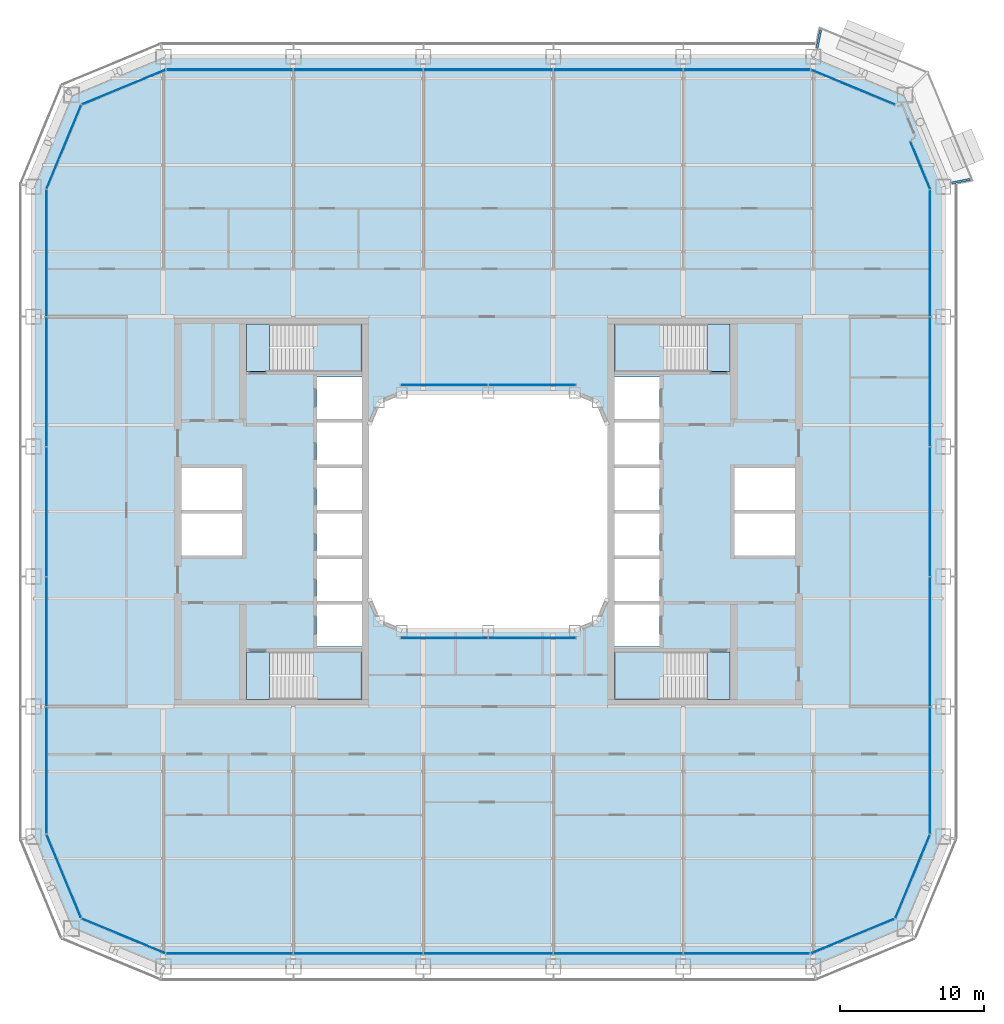
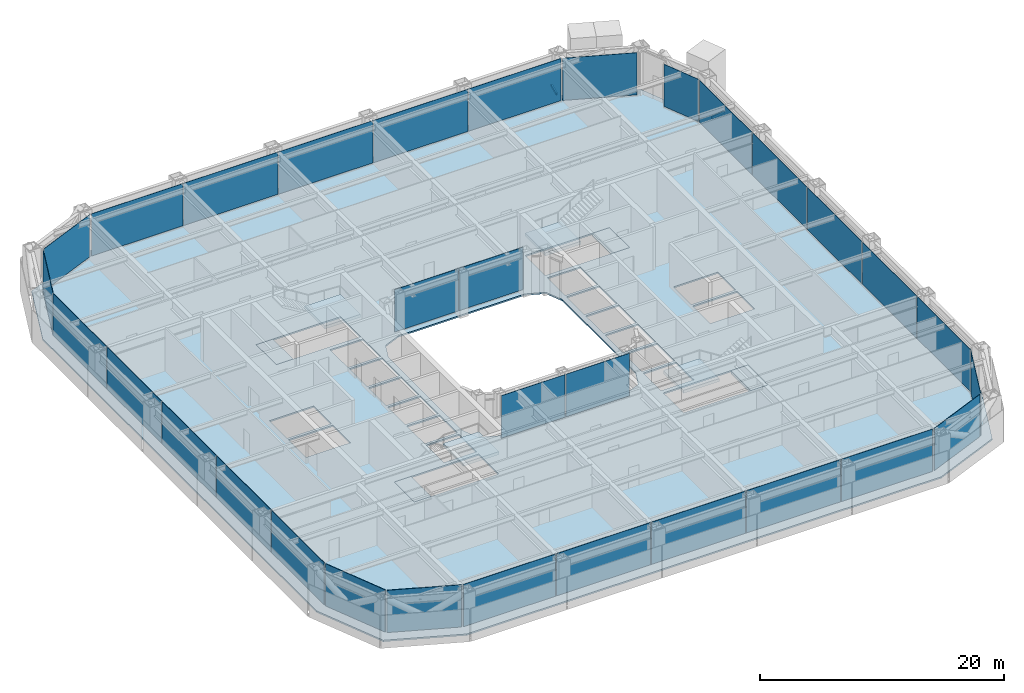
# One storey, part 11 of 30: 32 plates, 9 slabs, 2 beams, 18 elements without a shape of their own.
"""IFC4 building model written with IfcOpenShell, lengths in metres."""

from ifc_helpers import new_model, si_unit, direction, frame, origin, origin_2d, place, context, subcontext, project, spatial, polyline, rectangle, hollow_rectangle, outline, extrude, material, layer, layer_set, material_profile, profile_set, type_object, element, aggregate, save


model = new_model("IFC4")

# Units and contexts
model_context = context("Model", 3, precision=1e-05, world=origin(), true_north=direction((0.0, 1.0)))
body_context = subcontext(model_context, "Body", "Model", "MODEL_VIEW")
ifc_project = project(units=[si_unit("LENGTHUNIT", "METRE"), si_unit("AREAUNIT", "SQUARE_METRE"), si_unit("VOLUMEUNIT", "CUBIC_METRE"), si_unit("PLANEANGLEUNIT", "RADIAN"), si_unit("MASSUNIT", "GRAM", prefix="KILO")], contexts=[model_context])

# Site, building, storey
site_placement = place(None, origin())
site = spatial("IfcSite", under=ifc_project, at=site_placement, CompositionType="ELEMENT")
building_placement = place(site_placement, origin())
building = spatial("IfcBuilding", under=site, at=building_placement, Name="Siwar Civic Tower", CompositionType="ELEMENT")
storey_placement = place(building_placement, frame((0.0, 0.0, 44.699951171875)))
storey = spatial("IfcBuildingStorey", under=building, at=storey_placement, Name="L09", CompositionType="ELEMENT", Elevation=44.699951171875)

# Beams
ifc_material_1 = material(Name="Steel S355", Category="steel")
ifc_material_profile = material_profile(ifc_material_1, hollow_rectangle(XDim=0.14990234375, YDim=0.25, WallThickness=0.010009765625, at=origin_2d()), Name="RHS250x150x10")
ifc_profile_set = profile_set([ifc_material_profile], Name="Steel S355")
beam_type = type_object("IfcBeamType", Name="ENV-BALCONY ARM", PredefinedType="BEAM", material=ifc_profile_set)
for number, where, z_axis, x_axis, name in (
    (1, (32.059814453125, 22.754150390625, -0.27490234375), (0.980799833553, 0.195017144127, 0.0), (-0.195017144127, 0.980799833553, 0.0), "Balcony cantilever beam NE 1"),
    (2, (22.754150390625, 32.059814453125, -0.27490234375), (0.195017144127, 0.980799833553, 0.0), (-0.980799833553, 0.195017144127, 0.0), "Balcony cantilever beam NE 3"),
):
    element("IfcBeam", number, at=place(storey_placement, frame(where, z_axis=z_axis, x_axis=x_axis)), inside=storey, type_object=beam_type, Name=name, PredefinedType="BEAM", context=body_context, shape_type="SweptSolid", body=[
        extrude(hollow_rectangle(XDim=0.14990234375, YDim=0.25, WallThickness=0.010009765625, at=origin_2d()), origin(), (0.0, 0.0, 1.0), 1.324462890625),
    ])

# Stair, slabs
ifc_material_2 = material(Name="Concrete C40/50", Category="concrete")
stair_type = type_object("IfcStairType", Name="CORE-STAIR", PredefinedType="TWO_STRAIGHT_RUN_STAIR", material=ifc_material_2)
stair_1_placement = place(storey_placement, origin())
stair_1 = element("IfcStair", 3, at=stair_1_placement, inside=storey, type_object=stair_type, Name="Exit stair ST1", PredefinedType="TWO_STRAIGHT_RUN_STAIR")
ifc_material_3 = material(Name="Concrete C40/50", Category="concrete")
ifc_layer_1 = layer(ifc_material_3, 0.300048828125)
ifc_layer_set_1 = layer_set([ifc_layer_1], Name="Concrete C40/50")
slab_type_1 = type_object("IfcSlabType", Name="CORE-STAIR-LANDING", PredefinedType="LANDING", material=ifc_layer_set_1)
slab_1_placement = place(storey_placement, frame((0.0, 0.0, -0.300048828125)))
slab_1 = element("IfcSlab", 4, at=slab_1_placement, type_object=slab_type_1, Name="ST1 landing 1", PredefinedType="LANDING", context=body_context, shape_type="SweptSolid", body=[
    extrude(outline(polyline([(-15.14990234375, 13.0), (-16.75, 13.0), (-16.75, 9.699951171875), (-15.14990234375, 9.699951171875), (-15.14990234375, 13.0)])), origin(), (0.0, 0.0, 1.0), 0.300048828125),
])
slab_2_placement = place(storey_placement, frame((0.0, 0.0, 1.949951171875)))
slab_2 = element("IfcSlab", 5, at=slab_2_placement, type_object=slab_type_1, Name="ST1 landing 2", PredefinedType="LANDING", context=body_context, shape_type="SweptSolid", body=[
    extrude(outline(polyline([(-8.75, 13.0), (-12.139892578125, 13.0), (-12.139892578125, 9.699951171875), (-8.75, 9.699951171875), (-8.75, 13.0)])), origin(), (0.0, 0.0, 1.0), 0.300048828125),
])
aggregate(stair_1, [slab_1, slab_2])

stair_2_placement = place(storey_placement, origin())
stair_2 = element("IfcStair", 6, at=stair_2_placement, inside=storey, type_object=stair_type, Name="Exit stair ST2", PredefinedType="TWO_STRAIGHT_RUN_STAIR")
slab_3_placement = place(storey_placement, frame((0.0, 0.0, -0.300048828125)))
slab_3 = element("IfcSlab", 7, at=slab_3_placement, type_object=slab_type_1, Name="ST2 landing 1", PredefinedType="LANDING", context=body_context, shape_type="SweptSolid", body=[
    extrude(outline(polyline([(-15.14990234375, -9.699951171875), (-16.75, -9.699951171875), (-16.75, -13.0), (-15.14990234375, -13.0), (-15.14990234375, -9.699951171875)])), origin(), (0.0, 0.0, 1.0), 0.300048828125),
])
slab_4_placement = place(storey_placement, frame((0.0, 0.0, 1.949951171875)))
slab_4 = element("IfcSlab", 8, at=slab_4_placement, type_object=slab_type_1, Name="ST2 landing 2", PredefinedType="LANDING", context=body_context, shape_type="SweptSolid", body=[
    extrude(outline(polyline([(-8.75, -9.699951171875), (-12.139892578125, -9.699951171875), (-12.139892578125, -13.0), (-8.75, -13.0), (-8.75, -9.699951171875)])), origin(), (0.0, 0.0, 1.0), 0.300048828125),
])
aggregate(stair_2, [slab_3, slab_4])

stair_3_placement = place(storey_placement, origin())
stair_3 = element("IfcStair", 9, at=stair_3_placement, inside=storey, type_object=stair_type, Name="Exit stair ST3", PredefinedType="TWO_STRAIGHT_RUN_STAIR")
slab_5_placement = place(storey_placement, frame((0.0, 0.0, -0.300048828125)))
slab_5 = element("IfcSlab", 10, at=slab_5_placement, type_object=slab_type_1, Name="ST3 landing 1", PredefinedType="LANDING", context=body_context, shape_type="SweptSolid", body=[
    extrude(outline(polyline([(15.14990234375, 9.699951171875), (16.75, 9.699951171875), (16.75, 13.0), (15.14990234375, 13.0), (15.14990234375, 9.699951171875)])), origin(), (0.0, 0.0, 1.0), 0.300048828125),
])
slab_6_placement = place(storey_placement, frame((0.0, 0.0, 1.949951171875)))
slab_6 = element("IfcSlab", 11, at=slab_6_placement, type_object=slab_type_1, Name="ST3 landing 2", PredefinedType="LANDING", context=body_context, shape_type="SweptSolid", body=[
    extrude(outline(polyline([(8.75, 9.699951171875), (12.139892578125, 9.699951171875), (12.139892578125, 13.0), (8.75, 13.0), (8.75, 9.699951171875)])), origin(), (0.0, 0.0, 1.0), 0.300048828125),
])
aggregate(stair_3, [slab_5, slab_6])

stair_4_placement = place(storey_placement, origin())
stair_4 = element("IfcStair", 12, at=stair_4_placement, inside=storey, type_object=stair_type, Name="Exit stair ST4", PredefinedType="TWO_STRAIGHT_RUN_STAIR")
slab_7_placement = place(storey_placement, frame((0.0, 0.0, -0.300048828125)))
slab_7 = element("IfcSlab", 13, at=slab_7_placement, type_object=slab_type_1, Name="ST4 landing 1", PredefinedType="LANDING", context=body_context, shape_type="SweptSolid", body=[
    extrude(outline(polyline([(15.14990234375, -13.0), (16.75, -13.0), (16.75, -9.699951171875), (15.14990234375, -9.699951171875), (15.14990234375, -13.0)])), origin(), (0.0, 0.0, 1.0), 0.300048828125),
])
slab_8_placement = place(storey_placement, frame((0.0, 0.0, 1.949951171875)))
slab_8 = element("IfcSlab", 14, at=slab_8_placement, type_object=slab_type_1, Name="ST4 landing 2", PredefinedType="LANDING", context=body_context, shape_type="SweptSolid", body=[
    extrude(outline(polyline([(8.75, -13.0), (12.139892578125, -13.0), (12.139892578125, -9.699951171875), (8.75, -9.699951171875), (8.75, -13.0)])), origin(), (0.0, 0.0, 1.0), 0.300048828125),
])
aggregate(stair_4, [slab_7, slab_8])

# Curtain wall, plates
ifc_material_4 = material(Name="Aluminium and glass", Category="aluminium")
ifc_layer_2 = layer(ifc_material_4, 0.219970703125)
ifc_layer_set_2 = layer_set([ifc_layer_2], Name="Aluminium and glass")
curtain_wall_type_1 = type_object("IfcCurtainWallType", Name="ENV-CW-A", PredefinedType="NOTDEFINED", material=ifc_layer_set_2)
curtain_wall_1_placement = place(storey_placement, origin())
curtain_wall_1 = element("IfcCurtainWall", 15, at=curtain_wall_1_placement, inside=storey, type_object=curtain_wall_type_1, Name="Curtain wall A S", PredefinedType="NOTDEFINED")
ifc_material_5 = material(Name="Glass clear laminated", Category="glass")
ifc_layer_3 = layer(ifc_material_5, 0.035888671875)
ifc_layer_set_3 = layer_set([ifc_layer_3], Name="Glass clear laminated")
plate_type_1 = type_object("IfcPlateType", Name="ENV-PANEL-A", PredefinedType="CURTAIN_PANEL", material=ifc_layer_set_3)
plate_1_placement = place(storey_placement, frame((-17.910400390625, -30.60009765625, 0.1201171875), z_axis=(0.0, 0.0, 1.0), x_axis=(1.0, 0.0, 0.0)))
plate_1 = element("IfcPlate", 16, at=plate_1_placement, type_object=plate_type_1, Name="Curtain panel A S 1", PredefinedType="CURTAIN_PANEL", context=body_context, shape_type="SweptSolid", body=[
    extrude(rectangle(XDim=8.7509765625, YDim=0.035888671875, at=origin_2d()), origin(), (0.0, 0.0, 1.0), 4.22998046875),
])
plate_2_placement = place(storey_placement, frame((-9.0, -30.60009765625, 0.1201171875), z_axis=(0.0, 0.0, 1.0), x_axis=(1.0, 0.0, 0.0)))
plate_2 = element("IfcPlate", 17, at=plate_2_placement, type_object=plate_type_1, Name="Curtain panel A S 2", PredefinedType="CURTAIN_PANEL", context=body_context, shape_type="SweptSolid", body=[
    extrude(rectangle(XDim=8.929931640625, YDim=0.035888671875, at=origin_2d()), origin(), (0.0, 0.0, 1.0), 4.22998046875),
])
plate_3_placement = place(storey_placement, frame((0.0, -30.60009765625, 0.1201171875), z_axis=(0.0, 0.0, 1.0), x_axis=(1.0, 0.0, 0.0)))
plate_3 = element("IfcPlate", 18, at=plate_3_placement, type_object=plate_type_1, Name="Curtain panel A S 3", PredefinedType="CURTAIN_PANEL", context=body_context, shape_type="SweptSolid", body=[
    extrude(rectangle(XDim=8.929931640625, YDim=0.035888671875, at=origin_2d()), origin(), (0.0, 0.0, 1.0), 4.22998046875),
])
plate_4_placement = place(storey_placement, frame((9.0, -30.60009765625, 0.1201171875), z_axis=(0.0, 0.0, 1.0), x_axis=(1.0, 0.0, 0.0)))
plate_4 = element("IfcPlate", 19, at=plate_4_placement, type_object=plate_type_1, Name="Curtain panel A S 4", PredefinedType="CURTAIN_PANEL", context=body_context, shape_type="SweptSolid", body=[
    extrude(rectangle(XDim=8.929931640625, YDim=0.035888671875, at=origin_2d()), origin(), (0.0, 0.0, 1.0), 4.22998046875),
])
plate_5_placement = place(storey_placement, frame((17.86669921875, -30.60009765625, 0.1201171875), z_axis=(0.0, 0.0, 1.0), x_axis=(1.0, 0.0, 0.0)))
plate_5 = element("IfcPlate", 20, at=plate_5_placement, type_object=plate_type_1, Name="Curtain panel A S 5", PredefinedType="CURTAIN_PANEL", context=body_context, shape_type="SweptSolid", body=[
    extrude(rectangle(XDim=8.663330078125, YDim=0.035888671875, at=origin_2d()), origin(), (0.0, 0.0, 1.0), 4.22998046875),
])
aggregate(curtain_wall_1, [plate_1, plate_2, plate_3, plate_4, plate_5])

curtain_wall_2_placement = place(storey_placement, origin())
curtain_wall_2 = element("IfcCurtainWall", 21, at=curtain_wall_2_placement, inside=storey, type_object=curtain_wall_type_1, Name="Curtain wall A E", PredefinedType="NOTDEFINED")
plate_6_placement = place(storey_placement, frame((30.60009765625, -17.910400390625, 0.1201171875), z_axis=(0.0, 0.0, 1.0), x_axis=(0.0, 1.0, 0.0)))
plate_6 = element("IfcPlate", 22, at=plate_6_placement, type_object=plate_type_1, Name="Curtain panel A E 1", PredefinedType="CURTAIN_PANEL", context=body_context, shape_type="SweptSolid", body=[
    extrude(rectangle(XDim=8.7509765625, YDim=0.035888671875, at=origin_2d()), origin(), (0.0, 0.0, 1.0), 4.22998046875),
])
plate_7_placement = place(storey_placement, frame((30.60009765625, -9.0, 0.1201171875), z_axis=(0.0, 0.0, 1.0), x_axis=(0.0, 1.0, 0.0)))
plate_7 = element("IfcPlate", 23, at=plate_7_placement, type_object=plate_type_1, Name="Curtain panel A E 2", PredefinedType="CURTAIN_PANEL", context=body_context, shape_type="SweptSolid", body=[
    extrude(rectangle(XDim=8.929931640625, YDim=0.035888671875, at=origin_2d()), origin(), (0.0, 0.0, 1.0), 4.22998046875),
])
plate_8_placement = place(storey_placement, frame((30.60009765625, 0.0, 0.1201171875), z_axis=(0.0, 0.0, 1.0), x_axis=(0.0, 1.0, 0.0)))
plate_8 = element("IfcPlate", 24, at=plate_8_placement, type_object=plate_type_1, Name="Curtain panel A E 3", PredefinedType="CURTAIN_PANEL", context=body_context, shape_type="SweptSolid", body=[
    extrude(rectangle(XDim=8.929931640625, YDim=0.035888671875, at=origin_2d()), origin(), (0.0, 0.0, 1.0), 4.22998046875),
])
plate_9_placement = place(storey_placement, frame((30.60009765625, 9.0, 0.1201171875), z_axis=(0.0, 0.0, 1.0), x_axis=(0.0, 1.0, 0.0)))
plate_9 = element("IfcPlate", 25, at=plate_9_placement, type_object=plate_type_1, Name="Curtain panel A E 4", PredefinedType="CURTAIN_PANEL", context=body_context, shape_type="SweptSolid", body=[
    extrude(rectangle(XDim=8.929931640625, YDim=0.035888671875, at=origin_2d()), origin(), (0.0, 0.0, 1.0), 4.22998046875),
])
plate_10_placement = place(storey_placement, frame((30.60009765625, 17.86669921875, 0.1201171875), z_axis=(0.0, 0.0, 1.0), x_axis=(0.0, 1.0, 0.0)))
plate_10 = element("IfcPlate", 26, at=plate_10_placement, type_object=plate_type_1, Name="Curtain panel A E 5", PredefinedType="CURTAIN_PANEL", context=body_context, shape_type="SweptSolid", body=[
    extrude(rectangle(XDim=8.663330078125, YDim=0.035888671875, at=origin_2d()), origin(), (0.0, 0.0, 1.0), 4.22998046875),
])
aggregate(curtain_wall_2, [plate_6, plate_7, plate_8, plate_9, plate_10])

curtain_wall_3_placement = place(storey_placement, origin())
curtain_wall_3 = element("IfcCurtainWall", 27, at=curtain_wall_3_placement, inside=storey, type_object=curtain_wall_type_1, Name="Curtain wall A N", PredefinedType="NOTDEFINED")
plate_11_placement = place(storey_placement, frame((17.910400390625, 30.60009765625, 0.1201171875), z_axis=(0.0, 0.0, 1.0), x_axis=(-1.0, 0.0, 0.0)))
plate_11 = element("IfcPlate", 28, at=plate_11_placement, type_object=plate_type_1, Name="Curtain panel A N 1", PredefinedType="CURTAIN_PANEL", context=body_context, shape_type="SweptSolid", body=[
    extrude(rectangle(XDim=8.7509765625, YDim=0.035888671875, at=origin_2d()), origin(), (0.0, 0.0, 1.0), 4.22998046875),
])
plate_12_placement = place(storey_placement, frame((9.0, 30.60009765625, 0.1201171875), z_axis=(0.0, 0.0, 1.0), x_axis=(-1.0, 0.0, 0.0)))
plate_12 = element("IfcPlate", 29, at=plate_12_placement, type_object=plate_type_1, Name="Curtain panel A N 2", PredefinedType="CURTAIN_PANEL", context=body_context, shape_type="SweptSolid", body=[
    extrude(rectangle(XDim=8.929931640625, YDim=0.035888671875, at=origin_2d()), origin(), (0.0, 0.0, 1.0), 4.22998046875),
])
plate_13_placement = place(storey_placement, frame((0.0, 30.60009765625, 0.1201171875), z_axis=(0.0, 0.0, 1.0), x_axis=(-1.0, 0.0, 0.0)))
plate_13 = element("IfcPlate", 30, at=plate_13_placement, type_object=plate_type_1, Name="Curtain panel A N 3", PredefinedType="CURTAIN_PANEL", context=body_context, shape_type="SweptSolid", body=[
    extrude(rectangle(XDim=8.929931640625, YDim=0.035888671875, at=origin_2d()), origin(), (0.0, 0.0, 1.0), 4.22998046875),
])
plate_14_placement = place(storey_placement, frame((-9.0, 30.60009765625, 0.1201171875), z_axis=(0.0, 0.0, 1.0), x_axis=(-1.0, 0.0, 0.0)))
plate_14 = element("IfcPlate", 31, at=plate_14_placement, type_object=plate_type_1, Name="Curtain panel A N 4", PredefinedType="CURTAIN_PANEL", context=body_context, shape_type="SweptSolid", body=[
    extrude(rectangle(XDim=8.929931640625, YDim=0.035888671875, at=origin_2d()), origin(), (0.0, 0.0, 1.0), 4.22998046875),
])
plate_15_placement = place(storey_placement, frame((-17.86669921875, 30.60009765625, 0.1201171875), z_axis=(0.0, 0.0, 1.0), x_axis=(-1.0, 0.0, 0.0)))
plate_15 = element("IfcPlate", 32, at=plate_15_placement, type_object=plate_type_1, Name="Curtain panel A N 5", PredefinedType="CURTAIN_PANEL", context=body_context, shape_type="SweptSolid", body=[
    extrude(rectangle(XDim=8.663330078125, YDim=0.035888671875, at=origin_2d()), origin(), (0.0, 0.0, 1.0), 4.22998046875),
])
aggregate(curtain_wall_3, [plate_11, plate_12, plate_13, plate_14, plate_15])

curtain_wall_4_placement = place(storey_placement, origin())
curtain_wall_4 = element("IfcCurtainWall", 33, at=curtain_wall_4_placement, inside=storey, type_object=curtain_wall_type_1, Name="Curtain wall A W", PredefinedType="NOTDEFINED")
plate_16_placement = place(storey_placement, frame((-30.60009765625, 17.910400390625, 0.1201171875), z_axis=(0.0, 0.0, 1.0), x_axis=(0.0, -1.0, 0.0)))
plate_16 = element("IfcPlate", 34, at=plate_16_placement, type_object=plate_type_1, Name="Curtain panel A W 1", PredefinedType="CURTAIN_PANEL", context=body_context, shape_type="SweptSolid", body=[
    extrude(rectangle(XDim=8.7509765625, YDim=0.035888671875, at=origin_2d()), origin(), (0.0, 0.0, 1.0), 4.22998046875),
])
plate_17_placement = place(storey_placement, frame((-30.60009765625, 9.0, 0.1201171875), z_axis=(0.0, 0.0, 1.0), x_axis=(0.0, -1.0, 0.0)))
plate_17 = element("IfcPlate", 35, at=plate_17_placement, type_object=plate_type_1, Name="Curtain panel A W 2", PredefinedType="CURTAIN_PANEL", context=body_context, shape_type="SweptSolid", body=[
    extrude(rectangle(XDim=8.929931640625, YDim=0.035888671875, at=origin_2d()), origin(), (0.0, 0.0, 1.0), 4.22998046875),
])
plate_18_placement = place(storey_placement, frame((-30.60009765625, 0.0, 0.1201171875), z_axis=(0.0, 0.0, 1.0), x_axis=(0.0, -1.0, 0.0)))
plate_18 = element("IfcPlate", 36, at=plate_18_placement, type_object=plate_type_1, Name="Curtain panel A W 3", PredefinedType="CURTAIN_PANEL", context=body_context, shape_type="SweptSolid", body=[
    extrude(rectangle(XDim=8.929931640625, YDim=0.035888671875, at=origin_2d()), origin(), (0.0, 0.0, 1.0), 4.22998046875),
])
plate_19_placement = place(storey_placement, frame((-30.60009765625, -9.0, 0.1201171875), z_axis=(0.0, 0.0, 1.0), x_axis=(0.0, -1.0, 0.0)))
plate_19 = element("IfcPlate", 37, at=plate_19_placement, type_object=plate_type_1, Name="Curtain panel A W 4", PredefinedType="CURTAIN_PANEL", context=body_context, shape_type="SweptSolid", body=[
    extrude(rectangle(XDim=8.929931640625, YDim=0.035888671875, at=origin_2d()), origin(), (0.0, 0.0, 1.0), 4.22998046875),
])
plate_20_placement = place(storey_placement, frame((-30.60009765625, -17.86669921875, 0.1201171875), z_axis=(0.0, 0.0, 1.0), x_axis=(0.0, -1.0, 0.0)))
plate_20 = element("IfcPlate", 38, at=plate_20_placement, type_object=plate_type_1, Name="Curtain panel A W 5", PredefinedType="CURTAIN_PANEL", context=body_context, shape_type="SweptSolid", body=[
    extrude(rectangle(XDim=8.663330078125, YDim=0.035888671875, at=origin_2d()), origin(), (0.0, 0.0, 1.0), 4.22998046875),
])
aggregate(curtain_wall_4, [plate_16, plate_17, plate_18, plate_19, plate_20])

# Curtain wall, plate
ifc_material_6 = material(Name="Aluminium clad insulated panel", Category="aluminium")
ifc_layer_4 = layer(ifc_material_6, 0.219970703125)
ifc_layer_set_4 = layer_set([ifc_layer_4], Name="Aluminium clad insulated panel")
curtain_wall_type_2 = type_object("IfcCurtainWallType", Name="ENV-CW-AX", PredefinedType="NOTDEFINED", material=ifc_layer_set_4)
curtain_wall_5_placement = place(storey_placement, origin())
curtain_wall_5 = element("IfcCurtainWall", 39, at=curtain_wall_5_placement, inside=storey, type_object=curtain_wall_type_2, Name="Curtain wall A SE1", PredefinedType="NOTDEFINED")
ifc_material_7 = material(Name="Aluminium clad insulated panel", Category="aluminium")
ifc_layer_5 = layer(ifc_material_7, 0.035888671875)
ifc_layer_set_5 = layer_set([ifc_layer_5], Name="Aluminium clad insulated panel")
plate_type_2 = type_object("IfcPlateType", Name="ENV-PANEL-AX", PredefinedType="CURTAIN_PANEL", material=ifc_layer_set_5)
plate_21_placement = place(storey_placement, frame((25.20751953125, -29.404296875, 0.1201171875), z_axis=(0.0, 0.0, 1.0), x_axis=(0.923879532511, 0.382683432365, 0.0)))
plate_21 = element("IfcPlate", 40, at=plate_21_placement, type_object=plate_type_2, Name="Curtain panel A SE1 1", PredefinedType="CURTAIN_PANEL", context=body_context, shape_type="SweptSolid", body=[
    extrude(rectangle(XDim=6.178955078125, YDim=0.035888671875, at=origin_2d()), origin(), (0.0, 0.0, 1.0), 4.22998046875),
])
aggregate(curtain_wall_5, [plate_21])

curtain_wall_6_placement = place(storey_placement, origin())
curtain_wall_6 = element("IfcCurtainWall", 41, at=curtain_wall_6_placement, inside=storey, type_object=curtain_wall_type_2, Name="Curtain wall A SE2", PredefinedType="NOTDEFINED")
plate_22_placement = place(storey_placement, frame((29.370849609375, -25.28857421875, 0.1201171875), z_axis=(0.0, 0.0, 1.0), x_axis=(0.382683432365, 0.923879532511, 0.0)))
plate_22 = element("IfcPlate", 42, at=plate_22_placement, type_object=plate_type_2, Name="Curtain panel A SE2 1", PredefinedType="CURTAIN_PANEL", context=body_context, shape_type="SweptSolid", body=[
    extrude(rectangle(XDim=6.178955078125, YDim=0.035888671875, at=origin_2d()), origin(), (0.0, 0.0, 1.0), 4.22998046875),
])
aggregate(curtain_wall_6, [plate_22])

curtain_wall_7_placement = place(storey_placement, origin())
curtain_wall_7 = element("IfcCurtainWall", 43, at=curtain_wall_7_placement, inside=storey, type_object=curtain_wall_type_2, Name="Curtain wall A NE1", PredefinedType="NOTDEFINED")
plate_23_placement = place(storey_placement, frame((29.90966796875, 23.9873046875, 0.1201171875), z_axis=(0.0, 0.0, 1.0), x_axis=(-0.382683432365, 0.923879532511, 0.0)))
plate_23 = element("IfcPlate", 44, at=plate_23_placement, type_object=plate_type_2, Name="Curtain panel A NE1 1", PredefinedType="CURTAIN_PANEL", context=body_context, shape_type="SweptSolid", body=[
    extrude(rectangle(XDim=3.537353515625, YDim=0.035888671875, at=origin_2d()), origin(), (0.0, 0.0, 1.0), 4.22998046875),
])
aggregate(curtain_wall_7, [plate_23])

curtain_wall_8_placement = place(storey_placement, origin())
curtain_wall_8 = element("IfcCurtainWall", 45, at=curtain_wall_8_placement, inside=storey, type_object=curtain_wall_type_2, Name="Curtain wall A NE2", PredefinedType="NOTDEFINED")
plate_24_placement = place(storey_placement, frame((25.28857421875, 29.370849609375, 0.1201171875), z_axis=(0.0, 0.0, 1.0), x_axis=(-0.923879532511, 0.382683432365, 0.0)))
plate_24 = element("IfcPlate", 46, at=plate_24_placement, type_object=plate_type_2, Name="Curtain panel A NE2 1", PredefinedType="CURTAIN_PANEL", context=body_context, shape_type="SweptSolid", body=[
    extrude(rectangle(XDim=6.178955078125, YDim=0.035888671875, at=origin_2d()), origin(), (0.0, 0.0, 1.0), 4.22998046875),
])
aggregate(curtain_wall_8, [plate_24])

curtain_wall_9_placement = place(storey_placement, origin())
curtain_wall_9 = element("IfcCurtainWall", 47, at=curtain_wall_9_placement, inside=storey, type_object=curtain_wall_type_2, Name="Curtain wall A NW1", PredefinedType="NOTDEFINED")
plate_25_placement = place(storey_placement, frame((-25.20751953125, 29.404296875, 0.1201171875), z_axis=(0.0, 0.0, 1.0), x_axis=(-0.923879532511, -0.382683432365, 0.0)))
plate_25 = element("IfcPlate", 48, at=plate_25_placement, type_object=plate_type_2, Name="Curtain panel A NW1 1", PredefinedType="CURTAIN_PANEL", context=body_context, shape_type="SweptSolid", body=[
    extrude(rectangle(XDim=6.178955078125, YDim=0.035888671875, at=origin_2d()), origin(), (0.0, 0.0, 1.0), 4.22998046875),
])
aggregate(curtain_wall_9, [plate_25])

curtain_wall_10_placement = place(storey_placement, origin())
curtain_wall_10 = element("IfcCurtainWall", 49, at=curtain_wall_10_placement, inside=storey, type_object=curtain_wall_type_2, Name="Curtain wall A NW2", PredefinedType="NOTDEFINED")
plate_26_placement = place(storey_placement, frame((-29.370849609375, 25.28857421875, 0.1201171875), z_axis=(0.0, 0.0, 1.0), x_axis=(-0.382683432365, -0.923879532511, 0.0)))
plate_26 = element("IfcPlate", 50, at=plate_26_placement, type_object=plate_type_2, Name="Curtain panel A NW2 1", PredefinedType="CURTAIN_PANEL", context=body_context, shape_type="SweptSolid", body=[
    extrude(rectangle(XDim=6.178955078125, YDim=0.035888671875, at=origin_2d()), origin(), (0.0, 0.0, 1.0), 4.22998046875),
])
aggregate(curtain_wall_10, [plate_26])

curtain_wall_11_placement = place(storey_placement, origin())
curtain_wall_11 = element("IfcCurtainWall", 51, at=curtain_wall_11_placement, inside=storey, type_object=curtain_wall_type_2, Name="Curtain wall A SW1", PredefinedType="NOTDEFINED")
plate_27_placement = place(storey_placement, frame((-29.404296875, -25.20751953125, 0.1201171875), z_axis=(0.0, 0.0, 1.0), x_axis=(0.382683432365, -0.923879532511, 0.0)))
plate_27 = element("IfcPlate", 52, at=plate_27_placement, type_object=plate_type_2, Name="Curtain panel A SW1 1", PredefinedType="CURTAIN_PANEL", context=body_context, shape_type="SweptSolid", body=[
    extrude(rectangle(XDim=6.178955078125, YDim=0.035888671875, at=origin_2d()), origin(), (0.0, 0.0, 1.0), 4.22998046875),
])
aggregate(curtain_wall_11, [plate_27])

curtain_wall_12_placement = place(storey_placement, origin())
curtain_wall_12 = element("IfcCurtainWall", 53, at=curtain_wall_12_placement, inside=storey, type_object=curtain_wall_type_2, Name="Curtain wall A SW2", PredefinedType="NOTDEFINED")
plate_28_placement = place(storey_placement, frame((-25.28857421875, -29.370849609375, 0.1201171875), z_axis=(0.0, 0.0, 1.0), x_axis=(0.923879532511, -0.382683432365, 0.0)))
plate_28 = element("IfcPlate", 54, at=plate_28_placement, type_object=plate_type_2, Name="Curtain panel A SW2 1", PredefinedType="CURTAIN_PANEL", context=body_context, shape_type="SweptSolid", body=[
    extrude(rectangle(XDim=6.178955078125, YDim=0.035888671875, at=origin_2d()), origin(), (0.0, 0.0, 1.0), 4.22998046875),
])
aggregate(curtain_wall_12, [plate_28])

# Curtain wall, plates
ifc_material_8 = material(Name="Aluminium and glass", Category="aluminium")
ifc_layer_6 = layer(ifc_material_8, 0.179931640625)
ifc_layer_set_6 = layer_set([ifc_layer_6], Name="Aluminium and glass")
curtain_wall_type_3 = type_object("IfcCurtainWallType", Name="ENV-CW-W", PredefinedType="NOTDEFINED", material=ifc_layer_set_6)
curtain_wall_13_placement = place(storey_placement, origin())
curtain_wall_13 = element("IfcCurtainWall", 55, at=curtain_wall_13_placement, inside=storey, type_object=curtain_wall_type_3, Name="Curtain wall W WS", PredefinedType="NOTDEFINED")
ifc_material_9 = material(Name="Glass clear laminated", Category="glass")
ifc_layer_7 = layer(ifc_material_9, 0.031982421875)
ifc_layer_set_7 = layer_set([ifc_layer_7], Name="Glass clear laminated")
plate_type_3 = type_object("IfcPlateType", Name="ENV-PANEL-W", PredefinedType="CURTAIN_PANEL", material=ifc_layer_set_7)
plate_29_placement = place(storey_placement, frame((-3.05078125, -8.760009765625, 0.10009765625), z_axis=(0.0, 0.0, 1.0), x_axis=(1.0, 0.0, 0.0)))
plate_29 = element("IfcPlate", 56, at=plate_29_placement, type_object=plate_type_3, Name="Curtain panel W WS 1", PredefinedType="CURTAIN_PANEL", context=body_context, shape_type="SweptSolid", body=[
    extrude(rectangle(XDim=6.04150390625, YDim=0.031982421875, at=origin_2d()), origin(), (0.0, 0.0, 1.0), 4.25),
])
plate_30_placement = place(storey_placement, frame((3.05078125, -8.760009765625, 0.10009765625), z_axis=(0.0, 0.0, 1.0), x_axis=(1.0, 0.0, 0.0)))
plate_30 = element("IfcPlate", 57, at=plate_30_placement, type_object=plate_type_3, Name="Curtain panel W WS 2", PredefinedType="CURTAIN_PANEL", context=body_context, shape_type="SweptSolid", body=[
    extrude(rectangle(XDim=6.04150390625, YDim=0.031982421875, at=origin_2d()), origin(), (0.0, 0.0, 1.0), 4.25),
])
aggregate(curtain_wall_13, [plate_29, plate_30])

curtain_wall_14_placement = place(storey_placement, origin())
curtain_wall_14 = element("IfcCurtainWall", 58, at=curtain_wall_14_placement, inside=storey, type_object=curtain_wall_type_3, Name="Curtain wall W WN", PredefinedType="NOTDEFINED")
plate_31_placement = place(storey_placement, frame((3.05078125, 8.760009765625, 0.10009765625), z_axis=(0.0, 0.0, 1.0), x_axis=(-1.0, 0.0, 0.0)))
plate_31 = element("IfcPlate", 59, at=plate_31_placement, type_object=plate_type_3, Name="Curtain panel W WN 1", PredefinedType="CURTAIN_PANEL", context=body_context, shape_type="SweptSolid", body=[
    extrude(rectangle(XDim=6.04150390625, YDim=0.031982421875, at=origin_2d()), origin(), (0.0, 0.0, 1.0), 4.25),
])
plate_32_placement = place(storey_placement, frame((-3.05078125, 8.760009765625, 0.10009765625), z_axis=(0.0, 0.0, 1.0), x_axis=(-1.0, 0.0, 0.0)))
plate_32 = element("IfcPlate", 60, at=plate_32_placement, type_object=plate_type_3, Name="Curtain panel W WN 2", PredefinedType="CURTAIN_PANEL", context=body_context, shape_type="SweptSolid", body=[
    extrude(rectangle(XDim=6.04150390625, YDim=0.031982421875, at=origin_2d()), origin(), (0.0, 0.0, 1.0), 4.25),
])
aggregate(curtain_wall_14, [plate_31, plate_32])

# Slab
ifc_material_10 = material(Name="Concrete C40/50", Category="concrete")
ifc_layer_8 = layer(ifc_material_10, 0.14990234375)
ifc_layer_set_8 = layer_set([ifc_layer_8], Name="Concrete C40/50")
slab_type_2 = type_object("IfcSlabType", Name="STR-FLOOR-DECK-150", PredefinedType="FLOOR", material=ifc_layer_set_8)
slab_9_placement = place(storey_placement, frame((0.0, 0.0, -0.14990234375)))
element("IfcSlab", 61, at=slab_9_placement, inside=storey, type_object=slab_type_2, Name="L09/slab/1", PredefinedType="FLOOR", context=body_context, shape_type="SweptSolid", body=[
    extrude(outline(polyline([(-22.5, -31.5), (22.5, -31.5), (28.864013671875, -28.864013671875), (31.5, -22.5), (31.5, 22.5), (28.864013671875, 28.864013671875), (22.5, 31.5), (-22.5, 31.5), (-28.864013671875, 28.864013671875), (-31.5, 22.5), (-31.5, -22.5), (-28.864013671875, -28.864013671875), (-22.5, -31.5)]), holes=[polyline([(21.25, 3.02490234375), (21.25, 0.125), (17.050048828125, 0.125), (17.050048828125, 3.02490234375), (21.25, 3.02490234375)]), polyline([(17.050048828125, -0.125), (21.25, -0.125), (21.25, -3.02490234375), (17.050048828125, -3.02490234375), (17.050048828125, -0.125)]), polyline([(16.75, 13.0), (16.75, 9.699951171875), (8.75, 9.699951171875), (8.75, 13.0), (16.75, 13.0)]), polyline([(8.75, -9.699951171875), (16.75, -9.699951171875), (16.75, -13.0), (8.75, -13.0), (8.75, -9.699951171875)]), polyline([(11.85009765625, 9.324951171875), (11.85009765625, 6.425048828125), (8.75, 6.425048828125), (8.75, 9.324951171875), (11.85009765625, 9.324951171875)]), polyline([(11.85009765625, 3.02490234375), (11.85009765625, 0.125), (8.75, 0.125), (8.75, 3.02490234375), (11.85009765625, 3.02490234375)]), polyline([(11.85009765625, -0.125), (11.85009765625, -3.02490234375), (8.75, -3.02490234375), (8.75, -0.125), (11.85009765625, -0.125)]), polyline([(11.85009765625, -3.27490234375), (11.85009765625, -6.175048828125), (8.75, -6.175048828125), (8.75, -3.27490234375), (11.85009765625, -3.27490234375)]), polyline([(8.75, 6.175048828125), (11.85009765625, 6.175048828125), (11.85009765625, 3.27490234375), (8.75, 3.27490234375), (8.75, 6.175048828125)]), polyline([(8.75, -6.425048828125), (11.85009765625, -6.425048828125), (11.85009765625, -9.324951171875), (8.75, -9.324951171875), (8.75, -6.425048828125)]), polyline([(-6.0, 8.25), (6.0, 8.25), (7.591064453125, 7.591064453125), (8.25, 6.0), (8.25, -6.0), (7.591064453125, -7.591064453125), (6.0, -8.25), (-6.0, -8.25), (-7.591064453125, -7.591064453125), (-8.25, -6.0), (-8.25, 6.0), (-7.591064453125, 7.591064453125), (-6.0, 8.25)]), polyline([(-8.75, 9.699951171875), (-16.75, 9.699951171875), (-16.75, 13.0), (-8.75, 13.0), (-8.75, 9.699951171875)]), polyline([(-8.75, 0.125), (-11.85009765625, 0.125), (-11.85009765625, 3.02490234375), (-8.75, 3.02490234375), (-8.75, 0.125)]), polyline([(-8.75, -6.175048828125), (-11.85009765625, -6.175048828125), (-11.85009765625, -3.27490234375), (-8.75, -3.27490234375), (-8.75, -6.175048828125)]), polyline([(-8.75, -9.324951171875), (-11.85009765625, -9.324951171875), (-11.85009765625, -6.425048828125), (-8.75, -6.425048828125), (-8.75, -9.324951171875)]), polyline([(-8.75, -13.0), (-16.75, -13.0), (-16.75, -9.699951171875), (-8.75, -9.699951171875), (-8.75, -13.0)]), polyline([(-11.85009765625, 6.425048828125), (-11.85009765625, 9.324951171875), (-8.75, 9.324951171875), (-8.75, 6.425048828125), (-11.85009765625, 6.425048828125)]), polyline([(-11.85009765625, 3.27490234375), (-11.85009765625, 6.175048828125), (-8.75, 6.175048828125), (-8.75, 3.27490234375), (-11.85009765625, 3.27490234375)]), polyline([(-11.85009765625, -3.02490234375), (-11.85009765625, -0.125), (-8.75, -0.125), (-8.75, -3.02490234375), (-11.85009765625, -3.02490234375)]), polyline([(-21.25, -3.02490234375), (-21.25, -0.125), (-17.050048828125, -0.125), (-17.050048828125, -3.02490234375), (-21.25, -3.02490234375)]), polyline([(-17.050048828125, 0.125), (-21.25, 0.125), (-21.25, 3.02490234375), (-17.050048828125, 3.02490234375), (-17.050048828125, 0.125)])]), origin(), (0.0, 0.0, 1.0), 0.14990234375),
])

save(model, "model.ifc")
